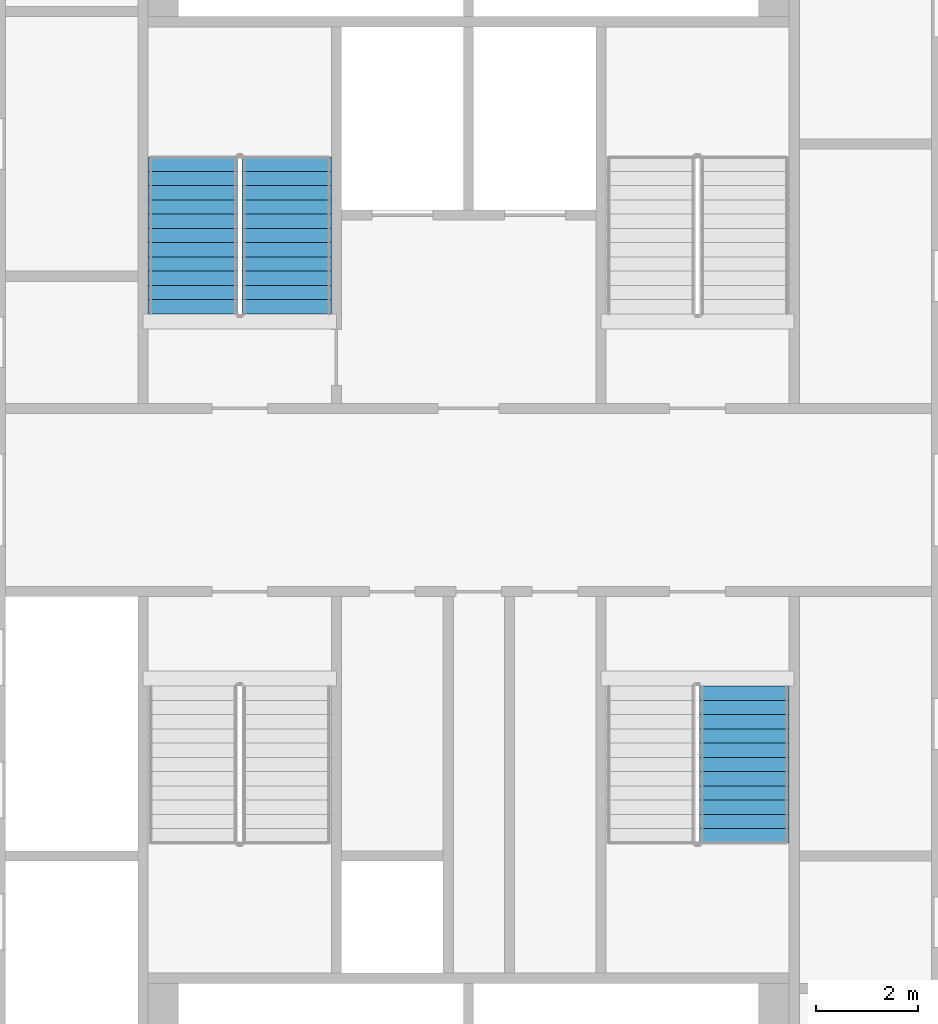
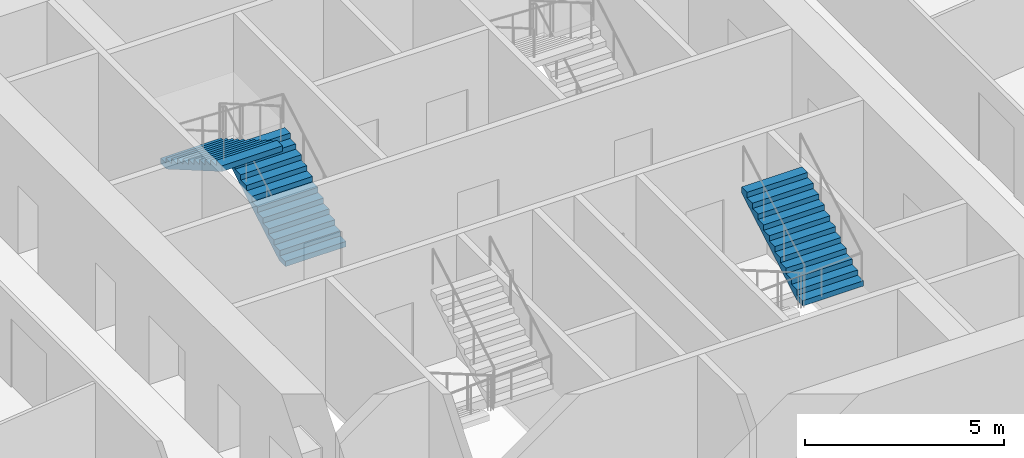
# One storey, part 16 of 22: 3 stair flights, 2 elements without a shape of their own.
"""IFC4 building model written with IfcOpenShell, lengths in metres."""

from ifc_helpers import new_model, si_unit, direction, frame, origin, place, context, subcontext, project, spatial, faceted_brep, material, type_object, element, aggregate, save


model = new_model("IFC4")

# Units and contexts
model_context = context("Model", 3, precision=1e-05, world=origin(), true_north=direction((0.0, 1.0)))
body_context = subcontext(model_context, "Body", "Model", "MODEL_VIEW")
ifc_project = project(units=[si_unit("LENGTHUNIT", "METRE"), si_unit("AREAUNIT", "SQUARE_METRE"), si_unit("VOLUMEUNIT", "CUBIC_METRE"), si_unit("PLANEANGLEUNIT", "RADIAN"), si_unit("MASSUNIT", "GRAM", prefix="KILO")], contexts=[model_context])

# Site, building, storey
site_placement = place(None, origin())
site = spatial("IfcSite", under=ifc_project, at=site_placement, CompositionType="ELEMENT")
building_placement = place(site_placement, origin())
building = spatial("IfcBuilding", under=site, at=building_placement, Name="Tarsis Ring Headquarters", CompositionType="ELEMENT")
storey_placement = place(building_placement, frame((0.0, 0.0, 79.0)))
storey = spatial("IfcBuildingStorey", under=building, at=storey_placement, Name="L17", CompositionType="ELEMENT", Elevation=79.0)

# Stair, stair flights
ifc_material_1 = material(Name="Core stair 1760")
stair_type = type_object("IfcStairType", Name="Core stair 1760", PredefinedType="HALF_TURN_STAIR", material=ifc_material_1)
stair_1_placement = place(storey_placement, origin())
stair_1 = element("IfcStair", 1, at=stair_1_placement, inside=storey, type_object=stair_type, Name="L17 Firefighting stair", PredefinedType="HALF_TURN_STAIR")
ifc_material_2 = material(Name="Concrete C40/50", Category="concrete")
stair_flight_type = type_object("IfcStairFlightType", Name="Core stair flight 1760", PredefinedType="STRAIGHT", material=ifc_material_2)
stair_flight_1_placement = place(storey_placement, frame((-3.580078125, 3.659912109375, 0.0), z_axis=(0.0, 0.0, 1.0), x_axis=(0.0, 1.0, 0.0)))
stair_flight_1 = element("IfcStairFlight", 2, at=stair_flight_1_placement, type_object=stair_flight_type, Name="Stair ST1 flight 1", NumberOfRisers=12, NumberOfTreads=11, PredefinedType="STRAIGHT", RiserHeight=0.1625, TreadLength=0.28, context=body_context, shape_type="Brep", body=[
    faceted_brep([(0.0, 0.8798828125, 0.0), (0.0, 0.8798828125, 0.16259765625), (0.280029296875, 0.8798828125, 0.16259765625), (0.280029296875, 0.8798828125, 0.324951171875), (0.56005859375, 0.8798828125, 0.324951171875), (0.56005859375, 0.8798828125, 0.487548828125), (0.840087890625, 0.8798828125, 0.487548828125), (0.840087890625, 0.8798828125, 0.64990234375), (1.1201171875, 0.8798828125, 0.64990234375), (1.1201171875, 0.8798828125, 0.8125), (1.39990234375, 0.8798828125, 0.8125), (1.39990234375, 0.8798828125, 0.97509765625), (1.679931640625, 0.8798828125, 0.97509765625), (1.679931640625, 0.8798828125, 1.137451171875), (1.9599609375, 0.8798828125, 1.137451171875), (1.9599609375, 0.8798828125, 1.300048828125), (2.239990234375, 0.8798828125, 1.300048828125), (2.239990234375, 0.8798828125, 1.46240234375), (2.52001953125, 0.8798828125, 1.46240234375), (2.52001953125, 0.8798828125, 1.625), (2.800048828125, 0.8798828125, 1.625), (2.800048828125, 0.8798828125, 1.78759765625), (3.080078125, 0.8798828125, 1.78759765625), (3.080078125, 0.8798828125, 1.6142578125), (0.298583984375, 0.8798828125, 0.0), (0.298583984375, -0.8798828125, 0.0), (3.080078125, -0.8798828125, 1.6142578125), (3.080078125, -0.8798828125, 1.78759765625), (2.800048828125, -0.8798828125, 1.78759765625), (2.800048828125, -0.8798828125, 1.625), (2.52001953125, -0.8798828125, 1.625), (2.52001953125, -0.8798828125, 1.46240234375), (2.239990234375, -0.8798828125, 1.46240234375), (2.239990234375, -0.8798828125, 1.300048828125), (1.9599609375, -0.8798828125, 1.300048828125), (1.9599609375, -0.8798828125, 1.137451171875), (1.679931640625, -0.8798828125, 1.137451171875), (1.679931640625, -0.8798828125, 0.97509765625), (1.39990234375, -0.8798828125, 0.97509765625), (1.39990234375, -0.8798828125, 0.8125), (1.1201171875, -0.8798828125, 0.8125), (1.1201171875, -0.8798828125, 0.64990234375), (0.840087890625, -0.8798828125, 0.64990234375), (0.840087890625, -0.8798828125, 0.487548828125), (0.56005859375, -0.8798828125, 0.487548828125), (0.56005859375, -0.8798828125, 0.324951171875), (0.280029296875, -0.8798828125, 0.324951171875), (0.280029296875, -0.8798828125, 0.16259765625), (0.0, -0.8798828125, 0.16259765625), (0.0, -0.8798828125, 0.0), (0.0, -0.43994140625, 0.16259765625), (0.0, -0.43994140625, 0.0), (0.0, 0.0, 0.16259765625), (0.0, 0.0, 0.0), (0.0, 0.43994140625, 0.16259765625), (0.0, 0.43994140625, 0.0), (0.280029296875, -0.43994140625, 0.16259765625), (0.280029296875, 0.0, 0.16259765625), (0.280029296875, 0.43994140625, 0.16259765625), (0.280029296875, -0.43994140625, 0.324951171875), (0.280029296875, 0.0, 0.324951171875), (0.280029296875, 0.43994140625, 0.324951171875), (0.56005859375, -0.43994140625, 0.324951171875), (0.56005859375, 0.0, 0.324951171875), (0.56005859375, 0.43994140625, 0.324951171875), (0.56005859375, -0.43994140625, 0.487548828125), (0.56005859375, 0.0, 0.487548828125), (0.56005859375, 0.43994140625, 0.487548828125), (0.840087890625, -0.43994140625, 0.487548828125), (0.840087890625, 0.0, 0.487548828125), (0.840087890625, 0.43994140625, 0.487548828125), (0.840087890625, -0.43994140625, 0.64990234375), (0.840087890625, 0.0, 0.64990234375), (0.840087890625, 0.43994140625, 0.64990234375), (1.1201171875, -0.43994140625, 0.64990234375), (1.1201171875, 0.0, 0.64990234375), (1.1201171875, 0.43994140625, 0.64990234375), (1.1201171875, -0.43994140625, 0.8125), (1.1201171875, 0.0, 0.8125), (1.1201171875, 0.43994140625, 0.8125), (1.39990234375, -0.43994140625, 0.8125), (1.39990234375, 0.0, 0.8125), (1.39990234375, 0.43994140625, 0.8125), (1.39990234375, -0.43994140625, 0.97509765625), (1.39990234375, 0.0, 0.97509765625), (1.39990234375, 0.43994140625, 0.97509765625), (1.679931640625, -0.43994140625, 0.97509765625), (1.679931640625, 0.0, 0.97509765625), (1.679931640625, 0.43994140625, 0.97509765625), (1.679931640625, -0.43994140625, 1.137451171875), (1.679931640625, 0.0, 1.137451171875), (1.679931640625, 0.43994140625, 1.137451171875), (1.9599609375, -0.43994140625, 1.137451171875), (1.9599609375, 0.0, 1.137451171875), (1.9599609375, 0.43994140625, 1.137451171875), (1.9599609375, -0.43994140625, 1.300048828125), (1.9599609375, 0.0, 1.300048828125), (1.9599609375, 0.43994140625, 1.300048828125), (2.239990234375, -0.43994140625, 1.300048828125), (2.239990234375, 0.0, 1.300048828125), (2.239990234375, 0.43994140625, 1.300048828125), (2.239990234375, -0.43994140625, 1.46240234375), (2.239990234375, 0.0, 1.46240234375), (2.239990234375, 0.43994140625, 1.46240234375), (2.52001953125, -0.43994140625, 1.46240234375), (2.52001953125, 0.0, 1.46240234375), (2.52001953125, 0.43994140625, 1.46240234375), (2.52001953125, -0.43994140625, 1.625), (2.52001953125, 0.0, 1.625), (2.52001953125, 0.43994140625, 1.625), (2.800048828125, -0.43994140625, 1.625), (2.800048828125, 0.0, 1.625), (2.800048828125, 0.43994140625, 1.625), (2.800048828125, -0.43994140625, 1.78759765625), (2.800048828125, 0.0, 1.78759765625), (2.800048828125, 0.43994140625, 1.78759765625), (3.080078125, -0.43994140625, 1.78759765625), (3.080078125, 0.0, 1.78759765625), (3.080078125, 0.43994140625, 1.78759765625), (3.080078125, -0.43994140625, 1.6142578125), (3.080078125, 0.0, 1.6142578125), (3.080078125, 0.43994140625, 1.6142578125), (0.298583984375, -0.43994140625, 0.0), (0.298583984375, 0.0, 0.0), (0.298583984375, 0.43994140625, 0.0)], [[[0, 1, 2, 3, 4, 5, 6, 7, 8, 9, 10, 11, 12, 13, 14, 15, 16, 17, 18, 19, 20, 21, 22, 23, 24]], [[25, 26, 27, 28, 29, 30, 31, 32, 33, 34, 35, 36, 37, 38, 39, 40, 41, 42, 43, 44, 45, 46, 47, 48, 49]], [[49, 48, 50, 51]], [[51, 50, 52, 53]], [[53, 52, 54, 55]], [[55, 54, 1, 0]], [[48, 47, 56, 50]], [[50, 56, 57, 52]], [[52, 57, 58, 54]], [[54, 58, 2, 1]], [[47, 46, 59, 56]], [[56, 59, 60, 57]], [[57, 60, 61, 58]], [[58, 61, 3, 2]], [[46, 45, 62, 59]], [[59, 62, 63, 60]], [[60, 63, 64, 61]], [[61, 64, 4, 3]], [[45, 44, 65, 62]], [[62, 65, 66, 63]], [[63, 66, 67, 64]], [[64, 67, 5, 4]], [[44, 43, 68, 65]], [[65, 68, 69, 66]], [[66, 69, 70, 67]], [[67, 70, 6, 5]], [[43, 42, 71, 68]], [[68, 71, 72, 69]], [[69, 72, 73, 70]], [[70, 73, 7, 6]], [[42, 41, 74, 71]], [[71, 74, 75, 72]], [[72, 75, 76, 73]], [[73, 76, 8, 7]], [[41, 40, 77, 74]], [[74, 77, 78, 75]], [[75, 78, 79, 76]], [[76, 79, 9, 8]], [[40, 39, 80, 77]], [[77, 80, 81, 78]], [[78, 81, 82, 79]], [[79, 82, 10, 9]], [[39, 38, 83, 80]], [[80, 83, 84, 81]], [[81, 84, 85, 82]], [[82, 85, 11, 10]], [[38, 37, 86, 83]], [[83, 86, 87, 84]], [[84, 87, 88, 85]], [[85, 88, 12, 11]], [[37, 36, 89, 86]], [[86, 89, 90, 87]], [[87, 90, 91, 88]], [[88, 91, 13, 12]], [[36, 35, 92, 89]], [[89, 92, 93, 90]], [[90, 93, 94, 91]], [[91, 94, 14, 13]], [[35, 34, 95, 92]], [[92, 95, 96, 93]], [[93, 96, 97, 94]], [[94, 97, 15, 14]], [[34, 33, 98, 95]], [[95, 98, 99, 96]], [[96, 99, 100, 97]], [[97, 100, 16, 15]], [[33, 32, 101, 98]], [[98, 101, 102, 99]], [[99, 102, 103, 100]], [[100, 103, 17, 16]], [[32, 31, 104, 101]], [[101, 104, 105, 102]], [[102, 105, 106, 103]], [[103, 106, 18, 17]], [[31, 30, 107, 104]], [[104, 107, 108, 105]], [[105, 108, 109, 106]], [[106, 109, 19, 18]], [[30, 29, 110, 107]], [[107, 110, 111, 108]], [[108, 111, 112, 109]], [[109, 112, 20, 19]], [[29, 28, 113, 110]], [[110, 113, 114, 111]], [[111, 114, 115, 112]], [[112, 115, 21, 20]], [[28, 27, 116, 113]], [[113, 116, 117, 114]], [[114, 117, 118, 115]], [[115, 118, 22, 21]], [[27, 26, 119, 116]], [[116, 119, 120, 117]], [[117, 120, 121, 118]], [[118, 121, 23, 22]], [[26, 25, 122, 119]], [[119, 122, 123, 120]], [[120, 123, 124, 121]], [[121, 124, 24, 23]], [[25, 49, 51, 122]], [[122, 51, 53, 123]], [[123, 53, 55, 124]], [[124, 55, 0, 24]]]),
])
stair_flight_2_placement = place(storey_placement, frame((-5.419921875, 6.739990234375, 1.949951171875), z_axis=(0.0, 0.0, 1.0), x_axis=(0.0, -1.0, 0.0)))
stair_flight_2 = element("IfcStairFlight", 3, at=stair_flight_2_placement, type_object=stair_flight_type, Name="Stair ST1 flight 2", NumberOfRisers=12, NumberOfTreads=11, PredefinedType="STRAIGHT", RiserHeight=0.1625, TreadLength=0.28, context=body_context, shape_type="Brep", body=[
    faceted_brep([(0.0, 0.8798828125, 0.0), (0.0, 0.8798828125, 0.16259765625), (0.280029296875, 0.8798828125, 0.16259765625), (0.280029296875, 0.8798828125, 0.324951171875), (0.56005859375, 0.8798828125, 0.324951171875), (0.56005859375, 0.8798828125, 0.487548828125), (0.840087890625, 0.8798828125, 0.487548828125), (0.840087890625, 0.8798828125, 0.64990234375), (1.1201171875, 0.8798828125, 0.64990234375), (1.1201171875, 0.8798828125, 0.8125), (1.39990234375, 0.8798828125, 0.8125), (1.39990234375, 0.8798828125, 0.97509765625), (1.679931640625, 0.8798828125, 0.97509765625), (1.679931640625, 0.8798828125, 1.137451171875), (1.9599609375, 0.8798828125, 1.137451171875), (1.9599609375, 0.8798828125, 1.300048828125), (2.239990234375, 0.8798828125, 1.300048828125), (2.239990234375, 0.8798828125, 1.46240234375), (2.52001953125, 0.8798828125, 1.46240234375), (2.52001953125, 0.8798828125, 1.625), (2.800048828125, 0.8798828125, 1.625), (2.800048828125, 0.8798828125, 1.78759765625), (3.080078125, 0.8798828125, 1.78759765625), (3.080078125, 0.8798828125, 1.6142578125), (0.298583984375, 0.8798828125, 0.0), (0.298583984375, -0.8798828125, 0.0), (3.080078125, -0.8798828125, 1.6142578125), (3.080078125, -0.8798828125, 1.78759765625), (2.800048828125, -0.8798828125, 1.78759765625), (2.800048828125, -0.8798828125, 1.625), (2.52001953125, -0.8798828125, 1.625), (2.52001953125, -0.8798828125, 1.46240234375), (2.239990234375, -0.8798828125, 1.46240234375), (2.239990234375, -0.8798828125, 1.300048828125), (1.9599609375, -0.8798828125, 1.300048828125), (1.9599609375, -0.8798828125, 1.137451171875), (1.679931640625, -0.8798828125, 1.137451171875), (1.679931640625, -0.8798828125, 0.97509765625), (1.39990234375, -0.8798828125, 0.97509765625), (1.39990234375, -0.8798828125, 0.8125), (1.1201171875, -0.8798828125, 0.8125), (1.1201171875, -0.8798828125, 0.64990234375), (0.840087890625, -0.8798828125, 0.64990234375), (0.840087890625, -0.8798828125, 0.487548828125), (0.56005859375, -0.8798828125, 0.487548828125), (0.56005859375, -0.8798828125, 0.324951171875), (0.280029296875, -0.8798828125, 0.324951171875), (0.280029296875, -0.8798828125, 0.16259765625), (0.0, -0.8798828125, 0.16259765625), (0.0, -0.8798828125, 0.0), (0.0, -0.43994140625, 0.16259765625), (0.0, -0.43994140625, 0.0), (0.0, 0.0, 0.16259765625), (0.0, 0.0, 0.0), (0.0, 0.43994140625, 0.16259765625), (0.0, 0.43994140625, 0.0), (0.280029296875, -0.43994140625, 0.16259765625), (0.280029296875, 0.0, 0.16259765625), (0.280029296875, 0.43994140625, 0.16259765625), (0.280029296875, -0.43994140625, 0.324951171875), (0.280029296875, 0.0, 0.324951171875), (0.280029296875, 0.43994140625, 0.324951171875), (0.56005859375, -0.43994140625, 0.324951171875), (0.56005859375, 0.0, 0.324951171875), (0.56005859375, 0.43994140625, 0.324951171875), (0.56005859375, -0.43994140625, 0.487548828125), (0.56005859375, 0.0, 0.487548828125), (0.56005859375, 0.43994140625, 0.487548828125), (0.840087890625, -0.43994140625, 0.487548828125), (0.840087890625, 0.0, 0.487548828125), (0.840087890625, 0.43994140625, 0.487548828125), (0.840087890625, -0.43994140625, 0.64990234375), (0.840087890625, 0.0, 0.64990234375), (0.840087890625, 0.43994140625, 0.64990234375), (1.1201171875, -0.43994140625, 0.64990234375), (1.1201171875, 0.0, 0.64990234375), (1.1201171875, 0.43994140625, 0.64990234375), (1.1201171875, -0.43994140625, 0.8125), (1.1201171875, 0.0, 0.8125), (1.1201171875, 0.43994140625, 0.8125), (1.39990234375, -0.43994140625, 0.8125), (1.39990234375, 0.0, 0.8125), (1.39990234375, 0.43994140625, 0.8125), (1.39990234375, -0.43994140625, 0.97509765625), (1.39990234375, 0.0, 0.97509765625), (1.39990234375, 0.43994140625, 0.97509765625), (1.679931640625, -0.43994140625, 0.97509765625), (1.679931640625, 0.0, 0.97509765625), (1.679931640625, 0.43994140625, 0.97509765625), (1.679931640625, -0.43994140625, 1.137451171875), (1.679931640625, 0.0, 1.137451171875), (1.679931640625, 0.43994140625, 1.137451171875), (1.9599609375, -0.43994140625, 1.137451171875), (1.9599609375, 0.0, 1.137451171875), (1.9599609375, 0.43994140625, 1.137451171875), (1.9599609375, -0.43994140625, 1.300048828125), (1.9599609375, 0.0, 1.300048828125), (1.9599609375, 0.43994140625, 1.300048828125), (2.239990234375, -0.43994140625, 1.300048828125), (2.239990234375, 0.0, 1.300048828125), (2.239990234375, 0.43994140625, 1.300048828125), (2.239990234375, -0.43994140625, 1.46240234375), (2.239990234375, 0.0, 1.46240234375), (2.239990234375, 0.43994140625, 1.46240234375), (2.52001953125, -0.43994140625, 1.46240234375), (2.52001953125, 0.0, 1.46240234375), (2.52001953125, 0.43994140625, 1.46240234375), (2.52001953125, -0.43994140625, 1.625), (2.52001953125, 0.0, 1.625), (2.52001953125, 0.43994140625, 1.625), (2.800048828125, -0.43994140625, 1.625), (2.800048828125, 0.0, 1.625), (2.800048828125, 0.43994140625, 1.625), (2.800048828125, -0.43994140625, 1.78759765625), (2.800048828125, 0.0, 1.78759765625), (2.800048828125, 0.43994140625, 1.78759765625), (3.080078125, -0.43994140625, 1.78759765625), (3.080078125, 0.0, 1.78759765625), (3.080078125, 0.43994140625, 1.78759765625), (3.080078125, -0.43994140625, 1.6142578125), (3.080078125, 0.0, 1.6142578125), (3.080078125, 0.43994140625, 1.6142578125), (0.298583984375, -0.43994140625, 0.0), (0.298583984375, 0.0, 0.0), (0.298583984375, 0.43994140625, 0.0)], [[[0, 1, 2, 3, 4, 5, 6, 7, 8, 9, 10, 11, 12, 13, 14, 15, 16, 17, 18, 19, 20, 21, 22, 23, 24]], [[25, 26, 27, 28, 29, 30, 31, 32, 33, 34, 35, 36, 37, 38, 39, 40, 41, 42, 43, 44, 45, 46, 47, 48, 49]], [[49, 48, 50, 51]], [[51, 50, 52, 53]], [[53, 52, 54, 55]], [[55, 54, 1, 0]], [[48, 47, 56, 50]], [[50, 56, 57, 52]], [[52, 57, 58, 54]], [[54, 58, 2, 1]], [[47, 46, 59, 56]], [[56, 59, 60, 57]], [[57, 60, 61, 58]], [[58, 61, 3, 2]], [[46, 45, 62, 59]], [[59, 62, 63, 60]], [[60, 63, 64, 61]], [[61, 64, 4, 3]], [[45, 44, 65, 62]], [[62, 65, 66, 63]], [[63, 66, 67, 64]], [[64, 67, 5, 4]], [[44, 43, 68, 65]], [[65, 68, 69, 66]], [[66, 69, 70, 67]], [[67, 70, 6, 5]], [[43, 42, 71, 68]], [[68, 71, 72, 69]], [[69, 72, 73, 70]], [[70, 73, 7, 6]], [[42, 41, 74, 71]], [[71, 74, 75, 72]], [[72, 75, 76, 73]], [[73, 76, 8, 7]], [[41, 40, 77, 74]], [[74, 77, 78, 75]], [[75, 78, 79, 76]], [[76, 79, 9, 8]], [[40, 39, 80, 77]], [[77, 80, 81, 78]], [[78, 81, 82, 79]], [[79, 82, 10, 9]], [[39, 38, 83, 80]], [[80, 83, 84, 81]], [[81, 84, 85, 82]], [[82, 85, 11, 10]], [[38, 37, 86, 83]], [[83, 86, 87, 84]], [[84, 87, 88, 85]], [[85, 88, 12, 11]], [[37, 36, 89, 86]], [[86, 89, 90, 87]], [[87, 90, 91, 88]], [[88, 91, 13, 12]], [[36, 35, 92, 89]], [[89, 92, 93, 90]], [[90, 93, 94, 91]], [[91, 94, 14, 13]], [[35, 34, 95, 92]], [[92, 95, 96, 93]], [[93, 96, 97, 94]], [[94, 97, 15, 14]], [[34, 33, 98, 95]], [[95, 98, 99, 96]], [[96, 99, 100, 97]], [[97, 100, 16, 15]], [[33, 32, 101, 98]], [[98, 101, 102, 99]], [[99, 102, 103, 100]], [[100, 103, 17, 16]], [[32, 31, 104, 101]], [[101, 104, 105, 102]], [[102, 105, 106, 103]], [[103, 106, 18, 17]], [[31, 30, 107, 104]], [[104, 107, 108, 105]], [[105, 108, 109, 106]], [[106, 109, 19, 18]], [[30, 29, 110, 107]], [[107, 110, 111, 108]], [[108, 111, 112, 109]], [[109, 112, 20, 19]], [[29, 28, 113, 110]], [[110, 113, 114, 111]], [[111, 114, 115, 112]], [[112, 115, 21, 20]], [[28, 27, 116, 113]], [[113, 116, 117, 114]], [[114, 117, 118, 115]], [[115, 118, 22, 21]], [[27, 26, 119, 116]], [[116, 119, 120, 117]], [[117, 120, 121, 118]], [[118, 121, 23, 22]], [[26, 25, 122, 119]], [[119, 122, 123, 120]], [[120, 123, 124, 121]], [[121, 124, 24, 23]], [[25, 49, 51, 122]], [[122, 51, 53, 123]], [[123, 53, 55, 124]], [[124, 55, 0, 24]]]),
])
aggregate(stair_1, [stair_flight_1, stair_flight_2])

# Stair, stair flight
stair_2_placement = place(storey_placement, origin())
stair_2 = element("IfcStair", 4, at=stair_2_placement, inside=storey, type_object=stair_type, Name="L17 Exit stair D", PredefinedType="HALF_TURN_STAIR")
stair_flight_3_placement = place(storey_placement, frame((5.419921875, -6.739990234375, 1.949951171875), z_axis=(0.0, 0.0, 1.0), x_axis=(0.0, 1.0, 0.0)))
stair_flight_3 = element("IfcStairFlight", 5, at=stair_flight_3_placement, type_object=stair_flight_type, Name="Stair ST4 flight 2", NumberOfRisers=12, NumberOfTreads=11, PredefinedType="STRAIGHT", RiserHeight=0.1625, TreadLength=0.28, context=body_context, shape_type="Brep", body=[
    faceted_brep([(0.0, 0.8798828125, 0.0), (0.0, 0.8798828125, 0.16259765625), (0.280029296875, 0.8798828125, 0.16259765625), (0.280029296875, 0.8798828125, 0.324951171875), (0.56005859375, 0.8798828125, 0.324951171875), (0.56005859375, 0.8798828125, 0.487548828125), (0.840087890625, 0.8798828125, 0.487548828125), (0.840087890625, 0.8798828125, 0.64990234375), (1.1201171875, 0.8798828125, 0.64990234375), (1.1201171875, 0.8798828125, 0.8125), (1.39990234375, 0.8798828125, 0.8125), (1.39990234375, 0.8798828125, 0.97509765625), (1.679931640625, 0.8798828125, 0.97509765625), (1.679931640625, 0.8798828125, 1.137451171875), (1.9599609375, 0.8798828125, 1.137451171875), (1.9599609375, 0.8798828125, 1.300048828125), (2.239990234375, 0.8798828125, 1.300048828125), (2.239990234375, 0.8798828125, 1.46240234375), (2.52001953125, 0.8798828125, 1.46240234375), (2.52001953125, 0.8798828125, 1.625), (2.800048828125, 0.8798828125, 1.625), (2.800048828125, 0.8798828125, 1.78759765625), (3.080078125, 0.8798828125, 1.78759765625), (3.080078125, 0.8798828125, 1.6142578125), (0.298583984375, 0.8798828125, 0.0), (0.298583984375, -0.8798828125, 0.0), (3.080078125, -0.8798828125, 1.6142578125), (3.080078125, -0.8798828125, 1.78759765625), (2.800048828125, -0.8798828125, 1.78759765625), (2.800048828125, -0.8798828125, 1.625), (2.52001953125, -0.8798828125, 1.625), (2.52001953125, -0.8798828125, 1.46240234375), (2.239990234375, -0.8798828125, 1.46240234375), (2.239990234375, -0.8798828125, 1.300048828125), (1.9599609375, -0.8798828125, 1.300048828125), (1.9599609375, -0.8798828125, 1.137451171875), (1.679931640625, -0.8798828125, 1.137451171875), (1.679931640625, -0.8798828125, 0.97509765625), (1.39990234375, -0.8798828125, 0.97509765625), (1.39990234375, -0.8798828125, 0.8125), (1.1201171875, -0.8798828125, 0.8125), (1.1201171875, -0.8798828125, 0.64990234375), (0.840087890625, -0.8798828125, 0.64990234375), (0.840087890625, -0.8798828125, 0.487548828125), (0.56005859375, -0.8798828125, 0.487548828125), (0.56005859375, -0.8798828125, 0.324951171875), (0.280029296875, -0.8798828125, 0.324951171875), (0.280029296875, -0.8798828125, 0.16259765625), (0.0, -0.8798828125, 0.16259765625), (0.0, -0.8798828125, 0.0), (0.0, -0.43994140625, 0.16259765625), (0.0, -0.43994140625, 0.0), (0.0, 0.0, 0.16259765625), (0.0, 0.0, 0.0), (0.0, 0.43994140625, 0.16259765625), (0.0, 0.43994140625, 0.0), (0.280029296875, -0.43994140625, 0.16259765625), (0.280029296875, 0.0, 0.16259765625), (0.280029296875, 0.43994140625, 0.16259765625), (0.280029296875, -0.43994140625, 0.324951171875), (0.280029296875, 0.0, 0.324951171875), (0.280029296875, 0.43994140625, 0.324951171875), (0.56005859375, -0.43994140625, 0.324951171875), (0.56005859375, 0.0, 0.324951171875), (0.56005859375, 0.43994140625, 0.324951171875), (0.56005859375, -0.43994140625, 0.487548828125), (0.56005859375, 0.0, 0.487548828125), (0.56005859375, 0.43994140625, 0.487548828125), (0.840087890625, -0.43994140625, 0.487548828125), (0.840087890625, 0.0, 0.487548828125), (0.840087890625, 0.43994140625, 0.487548828125), (0.840087890625, -0.43994140625, 0.64990234375), (0.840087890625, 0.0, 0.64990234375), (0.840087890625, 0.43994140625, 0.64990234375), (1.1201171875, -0.43994140625, 0.64990234375), (1.1201171875, 0.0, 0.64990234375), (1.1201171875, 0.43994140625, 0.64990234375), (1.1201171875, -0.43994140625, 0.8125), (1.1201171875, 0.0, 0.8125), (1.1201171875, 0.43994140625, 0.8125), (1.39990234375, -0.43994140625, 0.8125), (1.39990234375, 0.0, 0.8125), (1.39990234375, 0.43994140625, 0.8125), (1.39990234375, -0.43994140625, 0.97509765625), (1.39990234375, 0.0, 0.97509765625), (1.39990234375, 0.43994140625, 0.97509765625), (1.679931640625, -0.43994140625, 0.97509765625), (1.679931640625, 0.0, 0.97509765625), (1.679931640625, 0.43994140625, 0.97509765625), (1.679931640625, -0.43994140625, 1.137451171875), (1.679931640625, 0.0, 1.137451171875), (1.679931640625, 0.43994140625, 1.137451171875), (1.9599609375, -0.43994140625, 1.137451171875), (1.9599609375, 0.0, 1.137451171875), (1.9599609375, 0.43994140625, 1.137451171875), (1.9599609375, -0.43994140625, 1.300048828125), (1.9599609375, 0.0, 1.300048828125), (1.9599609375, 0.43994140625, 1.300048828125), (2.239990234375, -0.43994140625, 1.300048828125), (2.239990234375, 0.0, 1.300048828125), (2.239990234375, 0.43994140625, 1.300048828125), (2.239990234375, -0.43994140625, 1.46240234375), (2.239990234375, 0.0, 1.46240234375), (2.239990234375, 0.43994140625, 1.46240234375), (2.52001953125, -0.43994140625, 1.46240234375), (2.52001953125, 0.0, 1.46240234375), (2.52001953125, 0.43994140625, 1.46240234375), (2.52001953125, -0.43994140625, 1.625), (2.52001953125, 0.0, 1.625), (2.52001953125, 0.43994140625, 1.625), (2.800048828125, -0.43994140625, 1.625), (2.800048828125, 0.0, 1.625), (2.800048828125, 0.43994140625, 1.625), (2.800048828125, -0.43994140625, 1.78759765625), (2.800048828125, 0.0, 1.78759765625), (2.800048828125, 0.43994140625, 1.78759765625), (3.080078125, -0.43994140625, 1.78759765625), (3.080078125, 0.0, 1.78759765625), (3.080078125, 0.43994140625, 1.78759765625), (3.080078125, -0.43994140625, 1.6142578125), (3.080078125, 0.0, 1.6142578125), (3.080078125, 0.43994140625, 1.6142578125), (0.298583984375, -0.43994140625, 0.0), (0.298583984375, 0.0, 0.0), (0.298583984375, 0.43994140625, 0.0)], [[[0, 1, 2, 3, 4, 5, 6, 7, 8, 9, 10, 11, 12, 13, 14, 15, 16, 17, 18, 19, 20, 21, 22, 23, 24]], [[25, 26, 27, 28, 29, 30, 31, 32, 33, 34, 35, 36, 37, 38, 39, 40, 41, 42, 43, 44, 45, 46, 47, 48, 49]], [[49, 48, 50, 51]], [[51, 50, 52, 53]], [[53, 52, 54, 55]], [[55, 54, 1, 0]], [[48, 47, 56, 50]], [[50, 56, 57, 52]], [[52, 57, 58, 54]], [[54, 58, 2, 1]], [[47, 46, 59, 56]], [[56, 59, 60, 57]], [[57, 60, 61, 58]], [[58, 61, 3, 2]], [[46, 45, 62, 59]], [[59, 62, 63, 60]], [[60, 63, 64, 61]], [[61, 64, 4, 3]], [[45, 44, 65, 62]], [[62, 65, 66, 63]], [[63, 66, 67, 64]], [[64, 67, 5, 4]], [[44, 43, 68, 65]], [[65, 68, 69, 66]], [[66, 69, 70, 67]], [[67, 70, 6, 5]], [[43, 42, 71, 68]], [[68, 71, 72, 69]], [[69, 72, 73, 70]], [[70, 73, 7, 6]], [[42, 41, 74, 71]], [[71, 74, 75, 72]], [[72, 75, 76, 73]], [[73, 76, 8, 7]], [[41, 40, 77, 74]], [[74, 77, 78, 75]], [[75, 78, 79, 76]], [[76, 79, 9, 8]], [[40, 39, 80, 77]], [[77, 80, 81, 78]], [[78, 81, 82, 79]], [[79, 82, 10, 9]], [[39, 38, 83, 80]], [[80, 83, 84, 81]], [[81, 84, 85, 82]], [[82, 85, 11, 10]], [[38, 37, 86, 83]], [[83, 86, 87, 84]], [[84, 87, 88, 85]], [[85, 88, 12, 11]], [[37, 36, 89, 86]], [[86, 89, 90, 87]], [[87, 90, 91, 88]], [[88, 91, 13, 12]], [[36, 35, 92, 89]], [[89, 92, 93, 90]], [[90, 93, 94, 91]], [[91, 94, 14, 13]], [[35, 34, 95, 92]], [[92, 95, 96, 93]], [[93, 96, 97, 94]], [[94, 97, 15, 14]], [[34, 33, 98, 95]], [[95, 98, 99, 96]], [[96, 99, 100, 97]], [[97, 100, 16, 15]], [[33, 32, 101, 98]], [[98, 101, 102, 99]], [[99, 102, 103, 100]], [[100, 103, 17, 16]], [[32, 31, 104, 101]], [[101, 104, 105, 102]], [[102, 105, 106, 103]], [[103, 106, 18, 17]], [[31, 30, 107, 104]], [[104, 107, 108, 105]], [[105, 108, 109, 106]], [[106, 109, 19, 18]], [[30, 29, 110, 107]], [[107, 110, 111, 108]], [[108, 111, 112, 109]], [[109, 112, 20, 19]], [[29, 28, 113, 110]], [[110, 113, 114, 111]], [[111, 114, 115, 112]], [[112, 115, 21, 20]], [[28, 27, 116, 113]], [[113, 116, 117, 114]], [[114, 117, 118, 115]], [[115, 118, 22, 21]], [[27, 26, 119, 116]], [[116, 119, 120, 117]], [[117, 120, 121, 118]], [[118, 121, 23, 22]], [[26, 25, 122, 119]], [[119, 122, 123, 120]], [[120, 123, 124, 121]], [[121, 124, 24, 23]], [[25, 49, 51, 122]], [[122, 51, 53, 123]], [[123, 53, 55, 124]], [[124, 55, 0, 24]]]),
])
aggregate(stair_2, [stair_flight_3])

save(model, "model.ifc")
